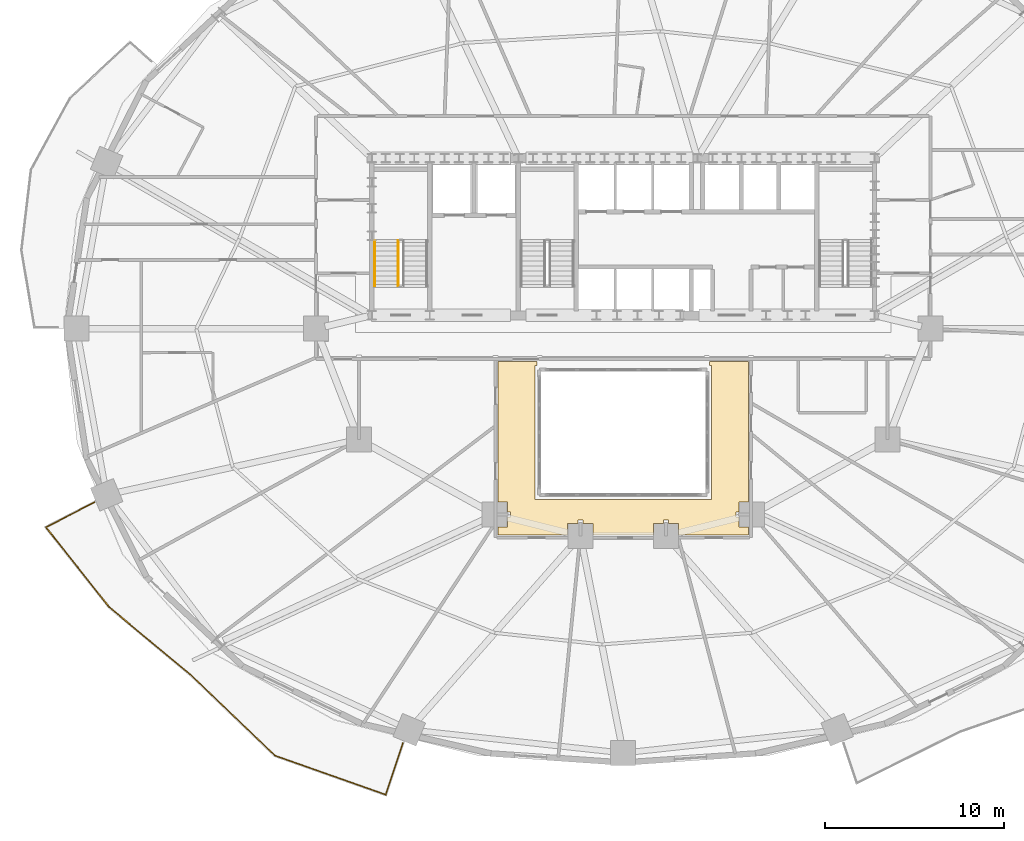
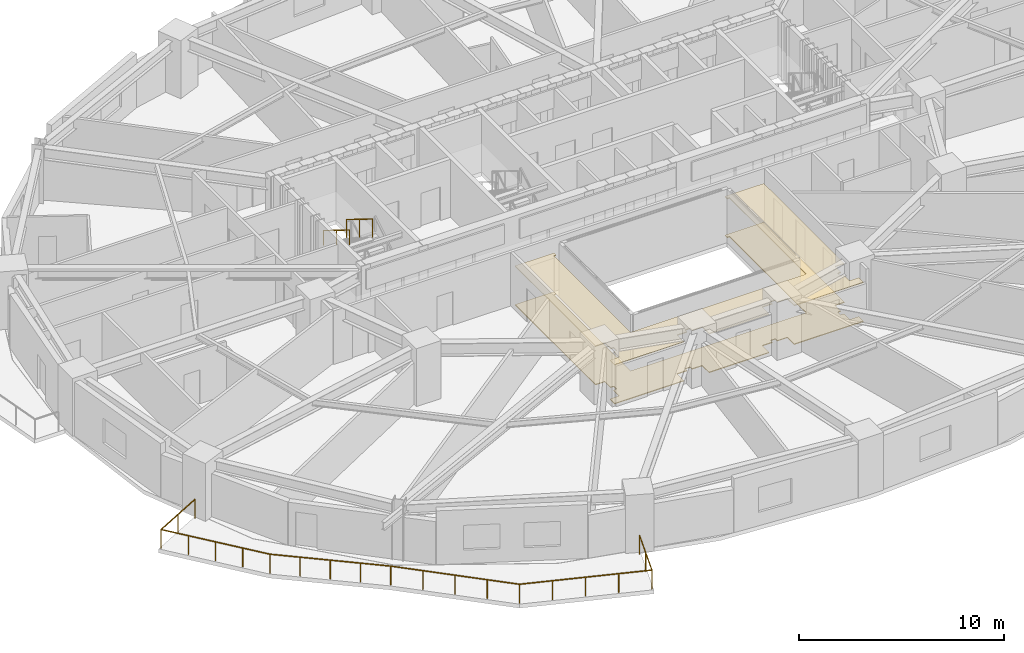
# One storey, part 14 of 17: 3 railings, 2 coverings.
"""IFC4 building model written with IfcOpenShell, lengths in metres."""

from ifc_helpers import new_model, si_unit, direction, frame, origin, origin_2d, place, context, subcontext, project, spatial, polyline, rectangle, outline, extrude, material, layer, layer_set, type_object, element, save


model = new_model("IFC4")

# Units and contexts
model_context = context("Model", 3, precision=1e-05, world=origin(), true_north=direction((0.0, 1.0)))
body_context = subcontext(model_context, "Body", "Model", "MODEL_VIEW")
ifc_project = project(units=[si_unit("LENGTHUNIT", "METRE"), si_unit("AREAUNIT", "SQUARE_METRE"), si_unit("VOLUMEUNIT", "CUBIC_METRE"), si_unit("PLANEANGLEUNIT", "RADIAN"), si_unit("MASSUNIT", "GRAM", prefix="KILO")], contexts=[model_context])

# Site, building, storey
site_placement = place(None, origin())
site = spatial("IfcSite", under=ifc_project, at=site_placement, CompositionType="ELEMENT")
building_placement = place(site_placement, origin())
building = spatial("IfcBuilding", under=site, at=building_placement, Name="Haldorwick Loom Tower", CompositionType="ELEMENT")
storey_placement = place(building_placement, frame((0.0, 0.0, 44.699951171875)))
storey = spatial("IfcBuildingStorey", under=building, at=storey_placement, Name="L11", CompositionType="ELEMENT", Elevation=44.699951171875)

# Coverings
ifc_material_1 = material(Name="Mineral Fibre Acoustic Ceiling Tile")
ifc_layer_1 = layer(ifc_material_1, 0.054931640625, Name="Mineral Fibre Acoustic Ceiling Tile")
ifc_layer_set_1 = layer_set([ifc_layer_1], Name="Mineral Fibre Acoustic Ceiling Tile")
covering_type_1 = type_object("IfcCoveringType", Name="ARC-COV-CEIL2", PredefinedType="CEILING", material=ifc_layer_set_1)
covering_1_placement = place(storey_placement, frame((0.0, 0.0, 2.302001953125)))
element("IfcCovering", 1, at=covering_1_placement, inside=storey, type_object=covering_type_1, Name="L11 Acoustic Suspended Ceiling 1", PredefinedType="CEILING", context=body_context, shape_type="SweptSolid", body=[
    extrude(outline(polyline([(33.719970703125, 15.2900390625), (33.721923828125, 15.289794921875), (33.723876953125, 15.28955078125), (33.725830078125, 15.2890625), (33.7275390625, 15.28857421875), (33.7294921875, 15.28759765625), (33.731201171875, 15.28662109375), (33.732666015625, 15.285400390625), (33.734130859375, 15.2841796875), (33.7353515625, 15.28271484375), (33.736572265625, 15.281005859375), (33.737548828125, 15.279541015625), (33.738525390625, 15.277587890625), (33.739013671875, 15.27587890625), (33.739501953125, 15.27392578125), (33.739990234375, 15.27197265625), (33.739990234375, 15.27001953125), (33.740478515625, 15.10791015625), (34.30810546875, 15.10791015625), (34.30810546875, 14.43994140625), (37.69189453125, 14.43994140625), (37.69189453125, 15.10791015625), (38.260009765625, 15.10791015625), (38.260009765625, 15.27001953125), (38.260009765625, 15.27197265625), (38.260498046875, 15.27392578125), (38.260986328125, 15.27587890625), (38.261474609375, 15.277587890625), (38.262451171875, 15.279296875), (38.263427734375, 15.281005859375), (38.264404296875, 15.28271484375), (38.265869140625, 15.2841796875), (38.267333984375, 15.285400390625), (38.268798828125, 15.28662109375), (38.2705078125, 15.28759765625), (38.272216796875, 15.28857421875), (38.274169921875, 15.2890625), (38.276123046875, 15.28955078125), (38.278076171875, 15.289794921875), (38.280029296875, 15.2900390625), (38.52001953125, 15.2900390625), (38.52197265625, 15.289794921875), (38.52392578125, 15.28955078125), (38.52587890625, 15.2890625), (38.527587890625, 15.28857421875), (38.529296875, 15.28759765625), (38.531005859375, 15.28662109375), (38.53271484375, 15.285400390625), (38.5341796875, 15.2841796875), (38.535400390625, 15.28271484375), (38.53662109375, 15.281005859375), (38.53759765625, 15.279296875), (38.53857421875, 15.277587890625), (38.5390625, 15.27587890625), (38.53955078125, 15.27392578125), (38.539794921875, 15.27197265625), (38.5400390625, 15.27001953125), (38.5400390625, 15.10791015625), (39.10791015625, 15.10791015625), (39.10791015625, 14.43994140625), (43.010009765625, 14.43994140625), (43.010009765625, 14.89208984375), (42.491943359375, 14.89208984375), (42.491943359375, 15.4599609375), (42.330078125, 15.4599609375), (42.327880859375, 15.460205078125), (42.326171875, 15.46044921875), (42.32421875, 15.4609375), (42.322265625, 15.46142578125), (42.320556640625, 15.46240234375), (42.31884765625, 15.46337890625), (42.3173828125, 15.464599609375), (42.31591796875, 15.4658203125), (42.314453125, 15.46728515625), (42.3134765625, 15.468994140625), (42.3125, 15.470703125), (42.3115234375, 15.472412109375), (42.310791015625, 15.47412109375), (42.310302734375, 15.47607421875), (42.31005859375, 15.47802734375), (42.31005859375, 15.47998046875), (42.31005859375, 15.719970703125), (42.31005859375, 15.721923828125), (42.310302734375, 15.723876953125), (42.310791015625, 15.725830078125), (42.3115234375, 15.727783203125), (42.3125, 15.7294921875), (42.3134765625, 15.731201171875), (42.314453125, 15.732666015625), (42.31591796875, 15.734130859375), (42.3173828125, 15.735595703125), (42.31884765625, 15.736572265625), (42.320556640625, 15.737548828125), (42.322265625, 15.738525390625), (42.32421875, 15.739013671875), (42.326171875, 15.739501953125), (42.327880859375, 15.739990234375), (42.330078125, 15.739990234375), (42.491943359375, 15.739990234375), (42.491943359375, 16.30810546875), (43.010009765625, 16.30810546875), (43.010009765625, 24.159912109375), (40.820068359375, 24.159912109375), (40.820068359375, 23.949951171875), (40.949951171875, 23.949951171875), (40.949951171875, 16.449951171875), (31.050048828125, 16.449951171875), (31.050048828125, 23.949951171875), (31.179931640625, 23.949951171875), (31.179931640625, 24.159912109375), (28.989990234375, 24.159912109375), (28.989990234375, 16.30810546875), (29.508056640625, 16.30810546875), (29.508056640625, 15.739990234375), (29.669921875, 15.739990234375), (29.672119140625, 15.739990234375), (29.673828125, 15.739501953125), (29.67578125, 15.739013671875), (29.677734375, 15.738525390625), (29.679443359375, 15.737548828125), (29.68115234375, 15.736572265625), (29.6826171875, 15.735595703125), (29.68408203125, 15.734130859375), (29.685546875, 15.732666015625), (29.6865234375, 15.731201171875), (29.6875, 15.7294921875), (29.6884765625, 15.727783203125), (29.689208984375, 15.725830078125), (29.689697265625, 15.723876953125), (29.68994140625, 15.721923828125), (29.68994140625, 15.719970703125), (29.68994140625, 15.47998046875), (29.68994140625, 15.47802734375), (29.689697265625, 15.47607421875), (29.689208984375, 15.47412109375), (29.6884765625, 15.472412109375), (29.6875, 15.470703125), (29.6865234375, 15.468994140625), (29.685546875, 15.46728515625), (29.68408203125, 15.4658203125), (29.6826171875, 15.464599609375), (29.68115234375, 15.46337890625), (29.679443359375, 15.46240234375), (29.677734375, 15.46142578125), (29.67578125, 15.4609375), (29.673828125, 15.46044921875), (29.672119140625, 15.460205078125), (29.669921875, 15.4599609375), (29.508056640625, 15.4599609375), (29.508056640625, 14.89208984375), (28.989990234375, 14.89208984375), (28.989990234375, 14.43994140625), (32.89208984375, 14.43994140625), (32.89208984375, 15.10791015625), (33.4599609375, 15.10791015625), (33.4599609375, 15.27001953125), (33.460205078125, 15.27197265625), (33.46044921875, 15.27392578125), (33.4609375, 15.27587890625), (33.46142578125, 15.277587890625), (33.46240234375, 15.279296875), (33.46337890625, 15.281005859375), (33.464599609375, 15.28271484375), (33.4658203125, 15.2841796875), (33.46728515625, 15.285400390625), (33.468994140625, 15.28662109375), (33.470703125, 15.28759765625), (33.472412109375, 15.28857421875), (33.47412109375, 15.2890625), (33.47607421875, 15.28955078125), (33.47802734375, 15.289794921875), (33.47998046875, 15.2900390625), (33.719970703125, 15.2900390625)])), origin(), (0.0, 0.0, 1.0), 0.054931640625),
])
ifc_material_2 = material(Name="Polished Aggregate Terrazzo Finish")
ifc_layer_2 = layer(ifc_material_2, 0.044921875, Name="Polished Aggregate Terrazzo Finish")
ifc_layer_set_2 = layer_set([ifc_layer_2], Name="Polished Aggregate Terrazzo Finish")
covering_type_2 = type_object("IfcCoveringType", Name="ARC-COV-FLOOR2", PredefinedType="FLOORING", material=ifc_layer_set_2)
covering_2_placement = place(storey_placement, origin())
element("IfcCovering", 2, at=covering_2_placement, inside=storey, type_object=covering_type_2, Name="L11 Floor Finish 1", PredefinedType="FLOORING", context=body_context, shape_type="SweptSolid", body=[
    extrude(outline(polyline([(33.719970703125, 15.2900390625), (33.721923828125, 15.289794921875), (33.723876953125, 15.28955078125), (33.725830078125, 15.2890625), (33.7275390625, 15.28857421875), (33.7294921875, 15.28759765625), (33.731201171875, 15.28662109375), (33.732666015625, 15.285400390625), (33.734130859375, 15.2841796875), (33.7353515625, 15.28271484375), (33.736572265625, 15.281005859375), (33.737548828125, 15.279541015625), (33.738525390625, 15.277587890625), (33.739013671875, 15.27587890625), (33.739501953125, 15.27392578125), (33.739990234375, 15.27197265625), (33.739990234375, 15.27001953125), (33.740478515625, 15.10791015625), (34.30810546875, 15.10791015625), (34.30810546875, 14.43994140625), (37.69189453125, 14.43994140625), (37.69189453125, 15.10791015625), (38.260009765625, 15.10791015625), (38.260009765625, 15.27001953125), (38.260009765625, 15.27197265625), (38.260498046875, 15.27392578125), (38.260986328125, 15.27587890625), (38.261474609375, 15.277587890625), (38.262451171875, 15.279296875), (38.263427734375, 15.281005859375), (38.264404296875, 15.28271484375), (38.265869140625, 15.2841796875), (38.267333984375, 15.285400390625), (38.268798828125, 15.28662109375), (38.2705078125, 15.28759765625), (38.272216796875, 15.28857421875), (38.274169921875, 15.2890625), (38.276123046875, 15.28955078125), (38.278076171875, 15.289794921875), (38.280029296875, 15.2900390625), (38.52001953125, 15.2900390625), (38.52197265625, 15.289794921875), (38.52392578125, 15.28955078125), (38.52587890625, 15.2890625), (38.527587890625, 15.28857421875), (38.529296875, 15.28759765625), (38.531005859375, 15.28662109375), (38.53271484375, 15.285400390625), (38.5341796875, 15.2841796875), (38.535400390625, 15.28271484375), (38.53662109375, 15.281005859375), (38.53759765625, 15.279296875), (38.53857421875, 15.277587890625), (38.5390625, 15.27587890625), (38.53955078125, 15.27392578125), (38.539794921875, 15.27197265625), (38.5400390625, 15.27001953125), (38.5400390625, 15.10791015625), (39.10791015625, 15.10791015625), (39.10791015625, 14.43994140625), (43.010009765625, 14.43994140625), (43.010009765625, 14.89208984375), (42.491943359375, 14.89208984375), (42.491943359375, 15.4599609375), (42.330078125, 15.4599609375), (42.327880859375, 15.460205078125), (42.326171875, 15.46044921875), (42.32421875, 15.4609375), (42.322265625, 15.46142578125), (42.320556640625, 15.46240234375), (42.31884765625, 15.46337890625), (42.3173828125, 15.464599609375), (42.31591796875, 15.4658203125), (42.314453125, 15.46728515625), (42.3134765625, 15.468994140625), (42.3125, 15.470703125), (42.3115234375, 15.472412109375), (42.310791015625, 15.47412109375), (42.310302734375, 15.47607421875), (42.31005859375, 15.47802734375), (42.31005859375, 15.47998046875), (42.31005859375, 15.719970703125), (42.31005859375, 15.721923828125), (42.310302734375, 15.723876953125), (42.310791015625, 15.725830078125), (42.3115234375, 15.727783203125), (42.3125, 15.7294921875), (42.3134765625, 15.731201171875), (42.314453125, 15.732666015625), (42.31591796875, 15.734130859375), (42.3173828125, 15.735595703125), (42.31884765625, 15.736572265625), (42.320556640625, 15.737548828125), (42.322265625, 15.738525390625), (42.32421875, 15.739013671875), (42.326171875, 15.739501953125), (42.327880859375, 15.739990234375), (42.330078125, 15.739990234375), (42.491943359375, 15.739990234375), (42.491943359375, 16.30810546875), (43.010009765625, 16.30810546875), (43.010009765625, 24.159912109375), (40.820068359375, 24.159912109375), (40.820068359375, 23.949951171875), (40.949951171875, 23.949951171875), (40.949951171875, 16.449951171875), (31.050048828125, 16.449951171875), (31.050048828125, 23.949951171875), (31.179931640625, 23.949951171875), (31.179931640625, 24.159912109375), (28.989990234375, 24.159912109375), (28.989990234375, 16.30810546875), (29.508056640625, 16.30810546875), (29.508056640625, 15.739990234375), (29.669921875, 15.739990234375), (29.672119140625, 15.739990234375), (29.673828125, 15.739501953125), (29.67578125, 15.739013671875), (29.677734375, 15.738525390625), (29.679443359375, 15.737548828125), (29.68115234375, 15.736572265625), (29.6826171875, 15.735595703125), (29.68408203125, 15.734130859375), (29.685546875, 15.732666015625), (29.6865234375, 15.731201171875), (29.6875, 15.7294921875), (29.6884765625, 15.727783203125), (29.689208984375, 15.725830078125), (29.689697265625, 15.723876953125), (29.68994140625, 15.721923828125), (29.68994140625, 15.719970703125), (29.68994140625, 15.47998046875), (29.68994140625, 15.47802734375), (29.689697265625, 15.47607421875), (29.689208984375, 15.47412109375), (29.6884765625, 15.472412109375), (29.6875, 15.470703125), (29.6865234375, 15.468994140625), (29.685546875, 15.46728515625), (29.68408203125, 15.4658203125), (29.6826171875, 15.464599609375), (29.68115234375, 15.46337890625), (29.679443359375, 15.46240234375), (29.677734375, 15.46142578125), (29.67578125, 15.4609375), (29.673828125, 15.46044921875), (29.672119140625, 15.460205078125), (29.669921875, 15.4599609375), (29.508056640625, 15.4599609375), (29.508056640625, 14.89208984375), (28.989990234375, 14.89208984375), (28.989990234375, 14.43994140625), (32.89208984375, 14.43994140625), (32.89208984375, 15.10791015625), (33.4599609375, 15.10791015625), (33.4599609375, 15.27001953125), (33.460205078125, 15.27197265625), (33.46044921875, 15.27392578125), (33.4609375, 15.27587890625), (33.46142578125, 15.277587890625), (33.46240234375, 15.279296875), (33.46337890625, 15.281005859375), (33.464599609375, 15.28271484375), (33.4658203125, 15.2841796875), (33.46728515625, 15.285400390625), (33.468994140625, 15.28662109375), (33.470703125, 15.28759765625), (33.472412109375, 15.28857421875), (33.47412109375, 15.2890625), (33.47607421875, 15.28955078125), (33.47802734375, 15.289794921875), (33.47998046875, 15.2900390625), (33.719970703125, 15.2900390625)])), origin(), (0.0, 0.0, 1.0), 0.045166015625),
])

# Railings
ifc_material_3 = material(Name="Galvanized Steel CSA G40.21 350W", Category="steel")
railing_type_1 = type_object("IfcRailingType", Name="ARC-RLG-BAL115", PredefinedType="BALUSTRADE", material=ifc_material_3)
railing_1_placement = place(storey_placement, frame((23.663818359375, 2.791748046875, 0.0)))
element("IfcRailing", 3, at=railing_1_placement, inside=storey, type_object=railing_type_1, Name="L11 Outdoor Terrace Guardrail SLB-L11-BAL_SW-1", PredefinedType="BALUSTRADE", context=body_context, shape_type="SweptSolid", body=[
    extrude(rectangle(XDim=0.048095703125, YDim=0.048095703125, at=origin_2d()), frame((0.0, 0.0, 1.1259765625), z_axis=(-0.316517691118, -0.948586607121, 0.0), x_axis=(0.948586607121, -0.316517691118, 0.0)), (0.0, 0.0, 1.0), 3.03125),
    extrude(rectangle(XDim=0.048095703125, YDim=0.048095703125, at=origin_2d()), frame((-0.95947265625, -2.87548828125, 1.1259765625), z_axis=(-0.942979374633, 0.332851166465, 0.0), x_axis=(-0.332851166465, -0.942979374633, 0.0)), (0.0, 0.0, 1.0), 6.580810546875),
    extrude(rectangle(XDim=0.048095703125, YDim=0.048095703125, at=origin_2d()), frame((-7.1650390625, -0.68505859375, 1.1259765625), z_axis=(-0.721452184694, 0.69246425554, 0.0), x_axis=(-0.69246425554, -0.721452184694, 0.0)), (0.0, 0.0, 1.0), 6.46826171875),
    extrude(rectangle(XDim=0.048095703125, YDim=0.048095703125, at=origin_2d()), frame((-11.83154296875, 3.7939453125, 1.1259765625), z_axis=(-0.768221279597, 0.640184399664, 0.0), x_axis=(-0.640184399664, -0.768221279597, 0.0)), (0.0, 0.0, 1.0), 0.005615234375),
    extrude(rectangle(XDim=0.048095703125, YDim=0.048095703125, at=origin_2d()), frame((-11.8359375, 3.797607421875, 1.1259765625), z_axis=(-0.768920852016, 0.639343978883, 0.0), x_axis=(-0.639343978883, -0.768920852016, 0.0)), (0.0, 0.0, 1.0), 5.974609375),
    extrude(rectangle(XDim=0.048095703125, YDim=0.048095703125, at=origin_2d()), frame((-16.429931640625, 7.617431640625, 1.1259765625), z_axis=(-0.621111371272, 0.783722313372, 0.0), x_axis=(-0.783722313372, -0.621111371272, 0.0)), (0.0, 0.0, 1.0), 5.709716796875),
    extrude(rectangle(XDim=0.048095703125, YDim=0.048095703125, at=origin_2d()), frame((-19.976318359375, 12.09228515625, 1.1259765625), z_axis=(0.888545143405, 0.458789197923, 0.0), x_axis=(-0.458789197923, 0.888545143405, 0.0)), (0.0, 0.0, 1.0), 3.060791015625),
    extrude(rectangle(XDim=0.0419921875, YDim=0.0419921875, at=origin_2d()), origin(), (0.0, 0.0, 1.0), 1.101806640625),
    extrude(rectangle(XDim=0.0419921875, YDim=0.0419921875, at=origin_2d()), frame((-0.479736328125, -1.437744140625, 0.0)), (0.0, 0.0, 1.0), 1.101806640625),
    extrude(rectangle(XDim=0.0419921875, YDim=0.0419921875, at=origin_2d()), frame((-0.95947265625, -2.87548828125, 0.0)), (0.0, 0.0, 1.0), 1.101806640625),
    extrude(rectangle(XDim=0.0419921875, YDim=0.0419921875, at=origin_2d()), frame((-2.5107421875, -2.327880859375, 0.0)), (0.0, 0.0, 1.0), 1.101806640625),
    extrude(rectangle(XDim=0.0419921875, YDim=0.0419921875, at=origin_2d()), frame((-4.062255859375, -1.7802734375, 0.0)), (0.0, 0.0, 1.0), 1.101806640625),
    extrude(rectangle(XDim=0.0419921875, YDim=0.0419921875, at=origin_2d()), frame((-5.61376953125, -1.232666015625, 0.0)), (0.0, 0.0, 1.0), 1.101806640625),
    extrude(rectangle(XDim=0.0419921875, YDim=0.0419921875, at=origin_2d()), frame((-7.1650390625, -0.68505859375, 0.0)), (0.0, 0.0, 1.0), 1.101806640625),
    extrude(rectangle(XDim=0.0419921875, YDim=0.0419921875, at=origin_2d()), frame((-8.33154296875, 0.4345703125, 0.0)), (0.0, 0.0, 1.0), 1.101806640625),
    extrude(rectangle(XDim=0.0419921875, YDim=0.0419921875, at=origin_2d()), frame((-9.498291015625, 1.554443359375, 0.0)), (0.0, 0.0, 1.0), 1.101806640625),
    extrude(rectangle(XDim=0.0419921875, YDim=0.0419921875, at=origin_2d()), frame((-10.6650390625, 2.67431640625, 0.0)), (0.0, 0.0, 1.0), 1.101806640625),
    extrude(rectangle(XDim=0.0419921875, YDim=0.0419921875, at=origin_2d()), frame((-11.83154296875, 3.7939453125, 0.0)), (0.0, 0.0, 1.0), 1.101806640625),
    extrude(rectangle(XDim=0.0419921875, YDim=0.0419921875, at=origin_2d()), frame((-12.984375, 4.75244140625, 0.0)), (0.0, 0.0, 1.0), 1.101806640625),
    extrude(rectangle(XDim=0.0419921875, YDim=0.0419921875, at=origin_2d()), frame((-14.1328125, 5.70751953125, 0.0)), (0.0, 0.0, 1.0), 1.101806640625),
    extrude(rectangle(XDim=0.0419921875, YDim=0.0419921875, at=origin_2d()), frame((-15.281494140625, 6.66259765625, 0.0)), (0.0, 0.0, 1.0), 1.101806640625),
    extrude(rectangle(XDim=0.0419921875, YDim=0.0419921875, at=origin_2d()), frame((-16.429931640625, 7.617431640625, 0.0)), (0.0, 0.0, 1.0), 1.101806640625),
    extrude(rectangle(XDim=0.0419921875, YDim=0.0419921875, at=origin_2d()), frame((-17.31640625, 8.736083984375, 0.0)), (0.0, 0.0, 1.0), 1.101806640625),
    extrude(rectangle(XDim=0.0419921875, YDim=0.0419921875, at=origin_2d()), frame((-18.203125, 9.85498046875, 0.0)), (0.0, 0.0, 1.0), 1.101806640625),
    extrude(rectangle(XDim=0.0419921875, YDim=0.0419921875, at=origin_2d()), frame((-19.08984375, 10.9736328125, 0.0)), (0.0, 0.0, 1.0), 1.101806640625),
    extrude(rectangle(XDim=0.0419921875, YDim=0.0419921875, at=origin_2d()), frame((-19.976318359375, 12.09228515625, 0.0)), (0.0, 0.0, 1.0), 1.101806640625),
    extrude(rectangle(XDim=0.0419921875, YDim=0.0419921875, at=origin_2d()), frame((-18.616455078125, 12.79443359375, 0.0)), (0.0, 0.0, 1.0), 1.101806640625),
    extrude(rectangle(XDim=0.0419921875, YDim=0.0419921875, at=origin_2d()), frame((-17.256591796875, 13.49658203125, 0.0)), (0.0, 0.0, 1.0), 1.101806640625),
])
ifc_material_4 = material(Name="Steel CSA G40.21 350W", Category="steel")
railing_type_2 = type_object("IfcRailingType", Name="ARC-RLG-GUARD112", PredefinedType="GUARDRAIL", material=ifc_material_4)
railing_2_placement = place(storey_placement, frame((23.39990234375, 30.919921875, 1.8974609375)))
element("IfcRailing", 4, at=railing_2_placement, inside=storey, type_object=railing_type_2, Name="L11 ST-01 stair guard 3", PredefinedType="GUARDRAIL", context=body_context, shape_type="SweptSolid", body=[
    extrude(rectangle(XDim=0.048095703125, YDim=0.048095703125, at=origin_2d()), frame((0.0, 0.0, 1.076171875), z_axis=(0.0, -0.851400495292, 0.524516154772), x_axis=(1.0, 0.0, 0.0)), (0.0, 0.0, 1.0), 2.9599609375),
    extrude(rectangle(XDim=0.0419921875, YDim=0.0419921875, at=origin_2d()), origin(), (0.0, 0.0, 1.0), 1.052001953125),
    extrude(rectangle(XDim=0.0419921875, YDim=0.0419921875, at=origin_2d()), frame((0.0, -1.260009765625, 0.7763671875)), (0.0, 0.0, 1.0), 1.052001953125),
    extrude(rectangle(XDim=0.0419921875, YDim=0.0419921875, at=origin_2d()), frame((0.0, -2.52001953125, 1.552490234375)), (0.0, 0.0, 1.0), 1.052001953125),
])
railing_type_3 = type_object("IfcRailingType", Name="ARC-RLG-HAND092", PredefinedType="HANDRAIL", material=ifc_material_4)
railing_3_placement = place(storey_placement, frame((22.10009765625, 30.919921875, 1.8974609375)))
element("IfcRailing", 5, at=railing_3_placement, inside=storey, type_object=railing_type_3, Name="L11 ST-01 stair handrail 2", PredefinedType="HANDRAIL", context=body_context, shape_type="SweptSolid", body=[
    extrude(rectangle(XDim=0.048095703125, YDim=0.048095703125, at=origin_2d()), frame((0.0, 0.0, 0.8759765625), z_axis=(0.0, -0.851400495292, 0.524516154772), x_axis=(1.0, 0.0, 0.0)), (0.0, 0.0, 1.0), 2.9599609375),
    extrude(rectangle(XDim=0.0419921875, YDim=0.0419921875, at=origin_2d()), origin(), (0.0, 0.0, 1.0), 0.851806640625),
    extrude(rectangle(XDim=0.0419921875, YDim=0.0419921875, at=origin_2d()), frame((0.0, -1.260009765625, 0.7763671875)), (0.0, 0.0, 1.0), 0.851806640625),
    extrude(rectangle(XDim=0.0419921875, YDim=0.0419921875, at=origin_2d()), frame((0.0, -2.52001953125, 1.552490234375)), (0.0, 0.0, 1.0), 0.851806640625),
])

save(model, "model.ifc")
